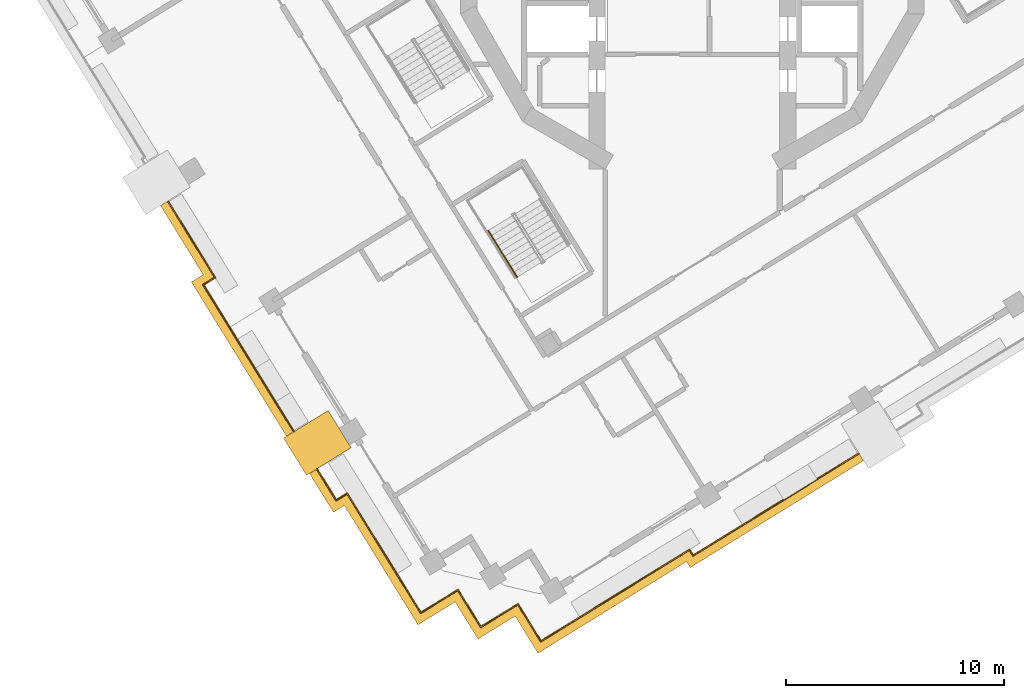
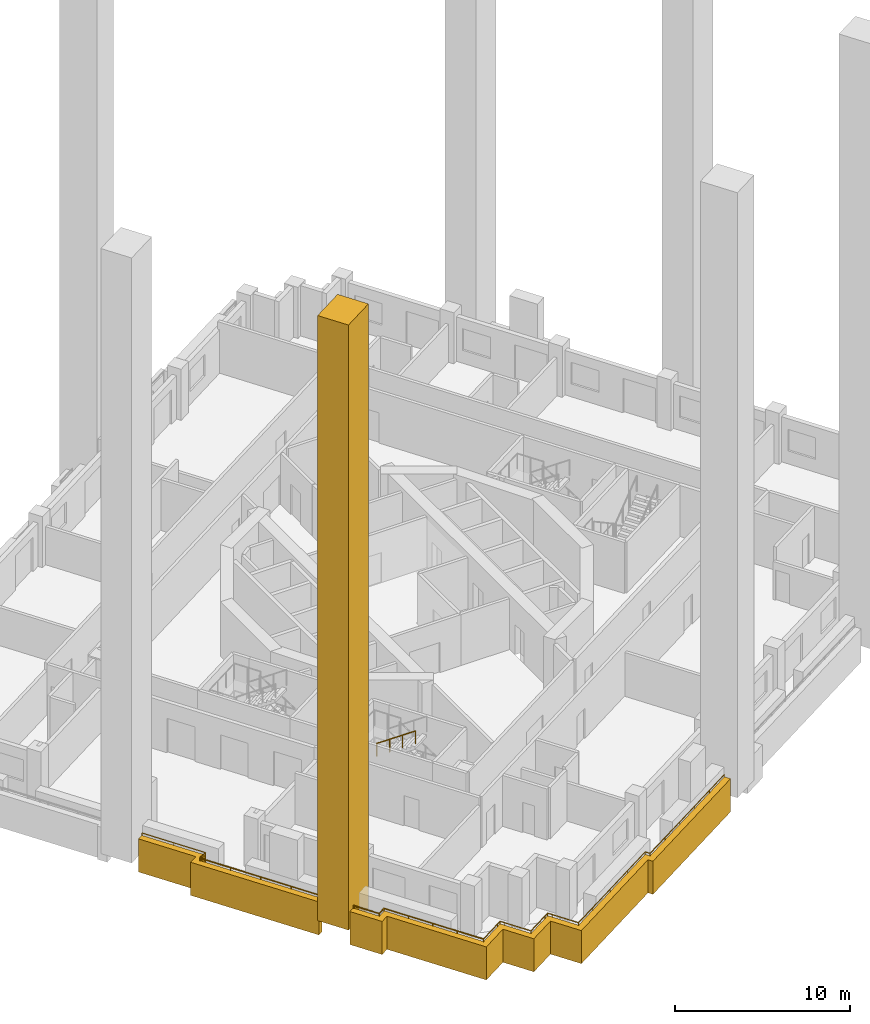
# One storey, part 10 of 19: 5 railings, 3 coverings.
"""IFC4 building model written with IfcOpenShell, lengths in metres."""

from ifc_helpers import new_model, si_unit, direction, frame, origin, origin_2d, place, context, subcontext, project, spatial, polyline, rectangle, circle, outline, extrude, material, type_object, element, save


model = new_model("IFC4")

# Units and contexts
model_context = context("Model", 3, precision=1e-05, world=origin(), true_north=direction((0.0, 1.0)))
body_context = subcontext(model_context, "Body", "Model", "MODEL_VIEW")
ifc_project = project(units=[si_unit("LENGTHUNIT", "METRE"), si_unit("AREAUNIT", "SQUARE_METRE"), si_unit("VOLUMEUNIT", "CUBIC_METRE"), si_unit("PLANEANGLEUNIT", "RADIAN"), si_unit("MASSUNIT", "GRAM", prefix="KILO")], contexts=[model_context])

# Site, building, storey
site_placement = place(None, origin())
site = spatial("IfcSite", under=ifc_project, at=site_placement, CompositionType="ELEMENT")
building_placement = place(site_placement, origin())
building = spatial("IfcBuilding", under=site, at=building_placement, Name="Cantera Rosa Tower", CompositionType="ELEMENT")
storey_placement = place(building_placement, frame((0.0, 0.0, 147.60009765625)))
storey = spatial("IfcBuildingStorey", under=building, at=storey_placement, Name="L31", CompositionType="ELEMENT", Elevation=147.60009765625)

# Railings
ifc_material_1 = material(Name="Stainless steel and laminated glass", Category="steel")
railing_type_1 = type_object("IfcRailingType", Name="GUARD 1100", PredefinedType="BALUSTRADE", material=ifc_material_1)
railing_1_placement = place(storey_placement, frame((-22.29150390625, -15.1806640625, 0.0)))
element("IfcRailing", 1, at=railing_1_placement, inside=storey, type_object=railing_type_1, Name="GUARD L31-1", PredefinedType="BALUSTRADE", context=body_context, shape_type="SweptSolid", body=[
    extrude(circle(Radius=0.030029296875, at=origin_2d()), frame((0.0, 0.0, 1.070068359375), z_axis=(1.0, 0.0, 0.0), x_axis=(0.0, 1.0, 0.0)), (0.0, 0.0, 1.0), 0.000244140625),
    extrude(circle(Radius=0.030029296875, at=origin_2d()), frame((0.000244140625, 0.0, 1.070068359375), z_axis=(0.850891336135, 0.525341730772, 0.0), x_axis=(-0.525341730772, 0.850891336135, 0.0)), (0.0, 0.0, 1.0), 0.4814453125),
    extrude(circle(Radius=0.030029296875, at=origin_2d()), frame((0.409912109375, 0.2529296875, 1.070068359375), z_axis=(0.832050294338, 0.554700196225, 0.0), x_axis=(-0.554700196225, 0.832050294338, 0.0)), (0.0, 0.0, 1.0), 0.00341796875),
    extrude(circle(Radius=0.030029296875, at=origin_2d()), frame((0.412841796875, 0.2548828125, 1.070068359375), z_axis=(-0.503871025524, 0.863778900898, 0.0), x_axis=(-0.863778900898, -0.503871025524, 0.0)), (0.0, 0.0, 1.0), 0.00341796875),
    extrude(circle(Radius=0.030029296875, at=origin_2d()), frame((0.4111328125, 0.2578125, 1.070068359375), z_axis=(-0.524962140655, 0.851125578795, 0.0), x_axis=(-0.851125578795, -0.524962140655, 0.0)), (0.0, 0.0, 1.0), 4.094482421875),
    extrude(circle(Radius=0.02490234375, at=origin_2d()), origin(), (0.0, 0.0, 1.0), 1.0400390625),
    extrude(circle(Radius=0.02490234375, at=origin_2d()), frame((0.000244140625, 0.0, 0.0)), (0.0, 0.0, 1.0), 1.0400390625),
    extrude(circle(Radius=0.02490234375, at=origin_2d()), frame((0.409912109375, 0.2529296875, 0.0)), (0.0, 0.0, 1.0), 1.0400390625),
    extrude(circle(Radius=0.02490234375, at=origin_2d()), frame((0.412841796875, 0.2548828125, 0.0)), (0.0, 0.0, 1.0), 1.0400390625),
    extrude(circle(Radius=0.02490234375, at=origin_2d()), frame((0.4111328125, 0.2578125, 0.0)), (0.0, 0.0, 1.0), 1.0400390625),
    extrude(circle(Radius=0.02490234375, at=origin_2d()), frame((-0.66357421875, 2.000244140625, 0.0)), (0.0, 0.0, 1.0), 1.0400390625),
    extrude(circle(Radius=0.02490234375, at=origin_2d()), frame((-1.73828125, 3.74267578125, 0.0)), (0.0, 0.0, 1.0), 1.0400390625),
])
railing_2_placement = place(storey_placement, frame((-18.281005859375, -21.9677734375, 0.0)))
element("IfcRailing", 2, at=railing_2_placement, inside=storey, type_object=railing_type_1, Name="GUARD L31-2", PredefinedType="BALUSTRADE", context=body_context, shape_type="SweptSolid", body=[
    extrude(circle(Radius=0.030029296875, at=origin_2d()), frame((0.0, 0.0, 1.070068359375), z_axis=(-0.524983698437, 0.851112281885, 0.0), x_axis=(-0.851112281885, -0.524983698437, 0.0)), (0.0, 0.0, 1.0), 7.882080078125),
    extrude(circle(Radius=0.030029296875, at=origin_2d()), frame((-4.137939453125, 6.70849609375, 1.070068359375), z_axis=(0.85109801765, 0.525006823148, 0.0), x_axis=(-0.525006823148, 0.85109801765, 0.0)), (0.0, 0.0, 1.0), 0.149658203125),
    extrude(circle(Radius=0.02490234375, at=origin_2d()), origin(), (0.0, 0.0, 1.0), 1.0400390625),
    extrude(circle(Radius=0.02490234375, at=origin_2d()), frame((-1.034423828125, 1.67724609375, 0.0)), (0.0, 0.0, 1.0), 1.0400390625),
    extrude(circle(Radius=0.02490234375, at=origin_2d()), frame((-2.06884765625, 3.354248046875, 0.0)), (0.0, 0.0, 1.0), 1.0400390625),
    extrude(circle(Radius=0.02490234375, at=origin_2d()), frame((-3.103515625, 5.03125, 0.0)), (0.0, 0.0, 1.0), 1.0400390625),
    extrude(circle(Radius=0.02490234375, at=origin_2d()), frame((-4.137939453125, 6.70849609375, 0.0)), (0.0, 0.0, 1.0), 1.0400390625),
    extrude(circle(Radius=0.02490234375, at=origin_2d()), frame((-4.010498046875, 6.787109375, 0.0)), (0.0, 0.0, 1.0), 1.0400390625),
])
railing_3_placement = place(storey_placement, frame((-12.44873046875, -30.2958984375, 0.0)))
element("IfcRailing", 3, at=railing_3_placement, inside=storey, type_object=railing_type_1, Name="GUARD L31-6", PredefinedType="BALUSTRADE", context=body_context, shape_type="SweptSolid", body=[
    extrude(circle(Radius=0.030029296875, at=origin_2d()), frame((0.0, 0.0, 1.070068359375), z_axis=(-0.524994468487, 0.851105638601, 0.0), x_axis=(-0.851105638601, -0.524994468487, 0.0)), (0.0, 0.0, 1.0), 1.7001953125),
    extrude(circle(Radius=0.030029296875, at=origin_2d()), frame((-0.892578125, 1.447021484375, 1.070068359375), z_axis=(-0.525004673435, 0.851099343715, 0.0), x_axis=(-0.851099343715, -0.525004673435, 0.0)), (0.0, 0.0, 1.0), 4.72802734375),
    extrude(circle(Radius=0.030029296875, at=origin_2d()), frame((-3.374755859375, 5.470947265625, 1.070068359375), z_axis=(-0.851204663561, -0.524833898231, 0.0), x_axis=(0.524833898231, -0.851204663561, 0.0)), (0.0, 0.0, 1.0), 0.591796875),
    extrude(circle(Radius=0.030029296875, at=origin_2d()), frame((-3.87841796875, 5.160400390625, 1.070068359375), z_axis=(-0.525064312401, 0.85106255225, 0.0), x_axis=(-0.85106255225, -0.525064312401, 0.0)), (0.0, 0.0, 1.0), 1.661865234375),
    extrude(circle(Radius=0.02490234375, at=origin_2d()), origin(), (0.0, 0.0, 1.0), 1.0400390625),
    extrude(circle(Radius=0.02490234375, at=origin_2d()), frame((-0.892578125, 1.447021484375, 0.0)), (0.0, 0.0, 1.0), 1.0400390625),
    extrude(circle(Radius=0.02490234375, at=origin_2d()), frame((-1.719970703125, 2.788330078125, 0.0)), (0.0, 0.0, 1.0), 1.0400390625),
    extrude(circle(Radius=0.02490234375, at=origin_2d()), frame((-2.54736328125, 4.129638671875, 0.0)), (0.0, 0.0, 1.0), 1.0400390625),
    extrude(circle(Radius=0.02490234375, at=origin_2d()), frame((-3.374755859375, 5.470947265625, 0.0)), (0.0, 0.0, 1.0), 1.0400390625),
    extrude(circle(Radius=0.02490234375, at=origin_2d()), frame((-3.87841796875, 5.160400390625, 0.0)), (0.0, 0.0, 1.0), 1.0400390625),
    extrude(circle(Radius=0.02490234375, at=origin_2d()), frame((-4.7509765625, 6.57470703125, 0.0)), (0.0, 0.0, 1.0), 1.0400390625),
])
railing_4_placement = place(storey_placement, frame((7.6162109375, -22.99560546875, 0.0)))
element("IfcRailing", 4, at=railing_4_placement, inside=storey, type_object=railing_type_1, Name="GUARD L31-7", PredefinedType="BALUSTRADE", context=body_context, shape_type="SweptSolid", body=[
    extrude(circle(Radius=0.030029296875, at=origin_2d()), frame((0.0, 0.0, 1.070068359375), z_axis=(-0.851115983017, -0.524977698053, 0.0), x_axis=(0.524977698053, -0.851115983017, 0.0)), (0.0, 0.0, 1.0), 8.910400390625),
    extrude(circle(Radius=0.030029296875, at=origin_2d()), frame((-7.583740234375, -4.677734375, 1.070068359375), z_axis=(-0.525330545402, 0.850898241899, 0.0), x_axis=(-0.850898241899, -0.525330545402, 0.0)), (0.0, 0.0, 1.0), 0.3203125),
    extrude(circle(Radius=0.030029296875, at=origin_2d()), frame((-7.751953125, -4.4052734375, 1.070068359375), z_axis=(-0.851122963342, -0.524966381087, 0.0), x_axis=(0.524966381087, -0.851122963342, 0.0)), (0.0, 0.0, 1.0), 6.2998046875),
    extrude(circle(Radius=0.030029296875, at=origin_2d()), frame((-13.11376953125, -7.71240234375, 1.070068359375), z_axis=(-0.851130227454, -0.524954603669, 0.0), x_axis=(0.524954603669, -0.851130227454, 0.0)), (0.0, 0.0, 1.0), 1.699951171875),
    extrude(circle(Radius=0.030029296875, at=origin_2d()), frame((-14.560546875, -8.604736328125, 1.070068359375), z_axis=(-0.525058638144, 0.851066052965, 0.0), x_axis=(-0.851066052965, -0.525058638144, 0.0)), (0.0, 0.0, 1.0), 1.699951171875),
    extrude(circle(Radius=0.030029296875, at=origin_2d()), frame((-15.453125, -7.157958984375, 1.070068359375), z_axis=(-0.524869051004, 0.85118298814, 0.0), x_axis=(-0.85118298814, -0.524869051004, 0.0)), (0.0, 0.0, 1.0), 0.300048828125),
    extrude(circle(Radius=0.030029296875, at=origin_2d()), frame((-15.610595703125, -6.902587890625, 1.070068359375), z_axis=(-0.85118298814, -0.524869051004, 0.0), x_axis=(0.524869051004, -0.85118298814, 0.0)), (0.0, 0.0, 1.0), 0.300048828125),
    extrude(circle(Radius=0.030029296875, at=origin_2d()), frame((-15.865966796875, -7.06005859375, 1.070068359375), z_axis=(-0.851066052965, -0.525058638144, 0.0), x_axis=(0.525058638144, -0.851066052965, 0.0)), (0.0, 0.0, 1.0), 1.699951171875),
    extrude(circle(Radius=0.030029296875, at=origin_2d()), frame((-17.312744140625, -7.95263671875, 1.070068359375), z_axis=(-0.524994468487, 0.851105638601, 0.0), x_axis=(-0.851105638601, -0.524994468487, 0.0)), (0.0, 0.0, 1.0), 1.7001953125),
    extrude(circle(Radius=0.030029296875, at=origin_2d()), frame((-18.205322265625, -6.505615234375, 1.070068359375), z_axis=(-0.524869051004, 0.85118298814, 0.0), x_axis=(-0.85118298814, -0.524869051004, 0.0)), (0.0, 0.0, 1.0), 0.300048828125),
    extrude(circle(Radius=0.030029296875, at=origin_2d()), frame((-18.36279296875, -6.250244140625, 1.070068359375), z_axis=(-0.85118298814, -0.524869051004, 0.0), x_axis=(0.524869051004, -0.85118298814, 0.0)), (0.0, 0.0, 1.0), 0.300048828125),
    extrude(circle(Radius=0.030029296875, at=origin_2d()), frame((-18.6181640625, -6.40771484375, 1.070068359375), z_axis=(-0.851066052965, -0.525058638144, 0.0), x_axis=(0.525058638144, -0.851066052965, 0.0)), (0.0, 0.0, 1.0), 1.699951171875),
    extrude(circle(Radius=0.02490234375, at=origin_2d()), origin(), (0.0, 0.0, 1.0), 1.0400390625),
    extrude(circle(Radius=0.02490234375, at=origin_2d()), frame((-1.516845703125, -0.935546875, 0.0)), (0.0, 0.0, 1.0), 1.0400390625),
    extrude(circle(Radius=0.02490234375, at=origin_2d()), frame((-3.033447265625, -1.87109375, 0.0)), (0.0, 0.0, 1.0), 1.0400390625),
    extrude(circle(Radius=0.02490234375, at=origin_2d()), frame((-4.55029296875, -2.806640625, 0.0)), (0.0, 0.0, 1.0), 1.0400390625),
    extrude(circle(Radius=0.02490234375, at=origin_2d()), frame((-6.06689453125, -3.7421875, 0.0)), (0.0, 0.0, 1.0), 1.0400390625),
    extrude(circle(Radius=0.02490234375, at=origin_2d()), frame((-7.583740234375, -4.677734375, 0.0)), (0.0, 0.0, 1.0), 1.0400390625),
    extrude(circle(Radius=0.02490234375, at=origin_2d()), frame((-7.751953125, -4.4052734375, 0.0)), (0.0, 0.0, 1.0), 1.0400390625),
    extrude(circle(Radius=0.02490234375, at=origin_2d()), frame((-9.539306640625, -5.507568359375, 0.0)), (0.0, 0.0, 1.0), 1.0400390625),
    extrude(circle(Radius=0.02490234375, at=origin_2d()), frame((-11.326416015625, -6.610107421875, 0.0)), (0.0, 0.0, 1.0), 1.0400390625),
    extrude(circle(Radius=0.02490234375, at=origin_2d()), frame((-13.11376953125, -7.71240234375, 0.0)), (0.0, 0.0, 1.0), 1.0400390625),
    extrude(circle(Radius=0.02490234375, at=origin_2d()), frame((-14.560546875, -8.604736328125, 0.0)), (0.0, 0.0, 1.0), 1.0400390625),
    extrude(circle(Radius=0.02490234375, at=origin_2d()), frame((-15.453125, -7.157958984375, 0.0)), (0.0, 0.0, 1.0), 1.0400390625),
    extrude(circle(Radius=0.02490234375, at=origin_2d()), frame((-15.610595703125, -6.902587890625, 0.0)), (0.0, 0.0, 1.0), 1.0400390625),
    extrude(circle(Radius=0.02490234375, at=origin_2d()), frame((-15.865966796875, -7.06005859375, 0.0)), (0.0, 0.0, 1.0), 1.0400390625),
    extrude(circle(Radius=0.02490234375, at=origin_2d()), frame((-17.312744140625, -7.95263671875, 0.0)), (0.0, 0.0, 1.0), 1.0400390625),
    extrude(circle(Radius=0.02490234375, at=origin_2d()), frame((-18.205322265625, -6.505615234375, 0.0)), (0.0, 0.0, 1.0), 1.0400390625),
    extrude(circle(Radius=0.02490234375, at=origin_2d()), frame((-18.36279296875, -6.250244140625, 0.0)), (0.0, 0.0, 1.0), 1.0400390625),
    extrude(circle(Radius=0.02490234375, at=origin_2d()), frame((-18.6181640625, -6.40771484375, 0.0)), (0.0, 0.0, 1.0), 1.0400390625),
    extrude(circle(Radius=0.02490234375, at=origin_2d()), frame((-20.06494140625, -7.30029296875, 0.0)), (0.0, 0.0, 1.0), 1.0400390625),
])
ifc_material_2 = material(Name="Steel S355J2 (EN 10025-2)", Category="steel")
railing_type_2 = type_object("IfcRailingType", Name="STAIR HANDRAIL 900", PredefinedType="HANDRAIL", material=ifc_material_2)
railing_5_placement = place(storey_placement, frame((-9.358154296875, -12.7685546875, 2.08984375)))
element("IfcRailing", 5, at=railing_5_placement, inside=storey, type_object=railing_type_2, Name="L31 ST-33 stair handrail 2", PredefinedType="HANDRAIL", context=body_context, shape_type="SweptSolid", body=[
    extrude(circle(Radius=0.02392578125, at=origin_2d()), frame((0.0, 0.0, 0.8759765625), z_axis=(0.434362572038, -0.70429590169, 0.561512634654), x_axis=(0.851145618652, 0.524929648476, 0.0)), (0.0, 0.0, 1.0), 3.045166015625),
    extrude(circle(Radius=0.02099609375, at=origin_2d()), origin(), (0.0, 0.0, 1.0), 0.851806640625),
    extrude(circle(Radius=0.02099609375, at=origin_2d()), frame((0.44091796875, -0.71484375, 0.570068359375)), (0.0, 0.0, 1.0), 0.851806640625),
    extrude(circle(Radius=0.02099609375, at=origin_2d()), frame((0.8818359375, -1.429931640625, 1.139892578125)), (0.0, 0.0, 1.0), 0.851806640625),
    extrude(circle(Radius=0.02099609375, at=origin_2d()), frame((1.32275390625, -2.144775390625, 1.7099609375)), (0.0, 0.0, 1.0), 0.851806640625),
])

# Coverings
ifc_material_3 = material(Name="Cantera stone", Category="masonry")
covering_type_1 = type_object("IfcCoveringType", Name="STONE FIN 2000x2400", PredefinedType="CLADDING", material=ifc_material_3)
covering_1_placement = place(storey_placement, frame((-17.194091796875, -22.50732421875, -0.300048828125), z_axis=(0.0, 0.0, 1.0), x_axis=(0.52497658034, -0.851116672434, 0.0)))
element("IfcCovering", 6, at=covering_1_placement, inside=storey, type_object=covering_type_1, Name="STONE FIN FN-Z3-08", PredefinedType="CLADDING", context=body_context, shape_type="SweptSolid", body=[
    extrude(rectangle(XDim=2.0, YDim=2.39990234375, at=origin_2d()), origin(), (0.0, 0.0, 1.0), 42.10009765625),
])
ifc_material_4 = material(Name="Cantera stone", Category="masonry")
covering_type_2 = type_object("IfcCoveringType", Name="TRAY FASCIA 400", PredefinedType="CLADDING", material=ifc_material_4)
covering_2_placement = place(storey_placement, frame((0.0, 0.0, -1.400146484375)))
element("IfcCovering", 7, at=covering_2_placement, inside=storey, type_object=covering_type_2, Name="TRAY FASCIA L31-02", PredefinedType="CLADDING", context=body_context, shape_type="SweptSolid", body=[
    extrude(outline(polyline([(-22.969482421875, -15.12890625), (-22.4287109375, -14.79541015625), (-24.380615234375, -11.630859375), (-24.040283203125, -11.4208984375), (-21.87841796875, -14.926025390625), (-22.4189453125, -15.25927734375), (-18.2705078125, -21.98486328125), (-18.611083984375, -22.19482421875), (-22.969482421875, -15.12890625)])), origin(), (0.0, 0.0, 1.0), 2.300048828125),
])
covering_3_placement = place(storey_placement, frame((0.0, 0.0, -1.400146484375)))
element("IfcCovering", 8, at=covering_3_placement, inside=storey, type_object=covering_type_2, Name="TRAY FASCIA L31-04", PredefinedType="CLADDING", context=body_context, shape_type="SweptSolid", body=[
    extrude(outline(polyline([(-0.09814453125, -28.223876953125), (-0.26611328125, -27.951171875), (-5.28759765625, -31.04833984375), (-7.074951171875, -32.15087890625), (-8.124755859375, -30.44873046875), (-9.8271484375, -31.49853515625), (-10.876953125, -29.79638671875), (-12.579345703125, -30.84619140625), (-13.681640625, -29.05908203125), (-15.953857421875, -25.375244140625), (-16.45751953125, -25.68603515625), (-17.550537109375, -23.9140625), (-17.210205078125, -23.7041015625), (-16.3271484375, -25.135498046875), (-15.823486328125, -24.824951171875), (-13.34130859375, -28.848876953125), (-12.44873046875, -30.2958984375), (-11.001953125, -29.4033203125), (-10.74658203125, -29.245849609375), (-10.589111328125, -29.501220703125), (-9.696533203125, -30.9482421875), (-8.249755859375, -30.0556640625), (-7.994384765625, -29.898193359375), (-7.8369140625, -30.153564453125), (-6.9443359375, -31.600341796875), (-5.49755859375, -30.7080078125), (-0.1357421875, -27.40087890625), (0.032470703125, -27.67333984375), (7.633056640625, -22.985107421875), (7.843017578125, -23.32568359375), (-0.09814453125, -28.223876953125)])), origin(), (0.0, 0.0, 1.0), 2.300048828125),
])

save(model, "model.ifc")
